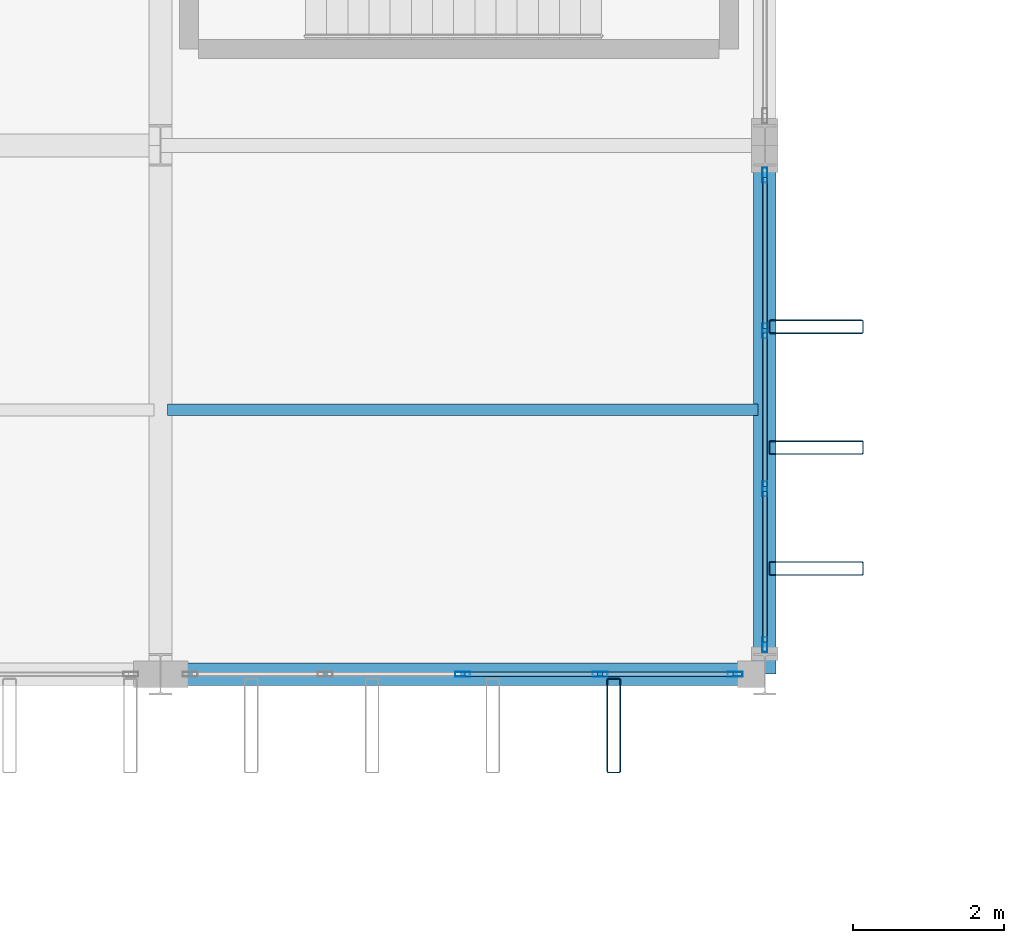
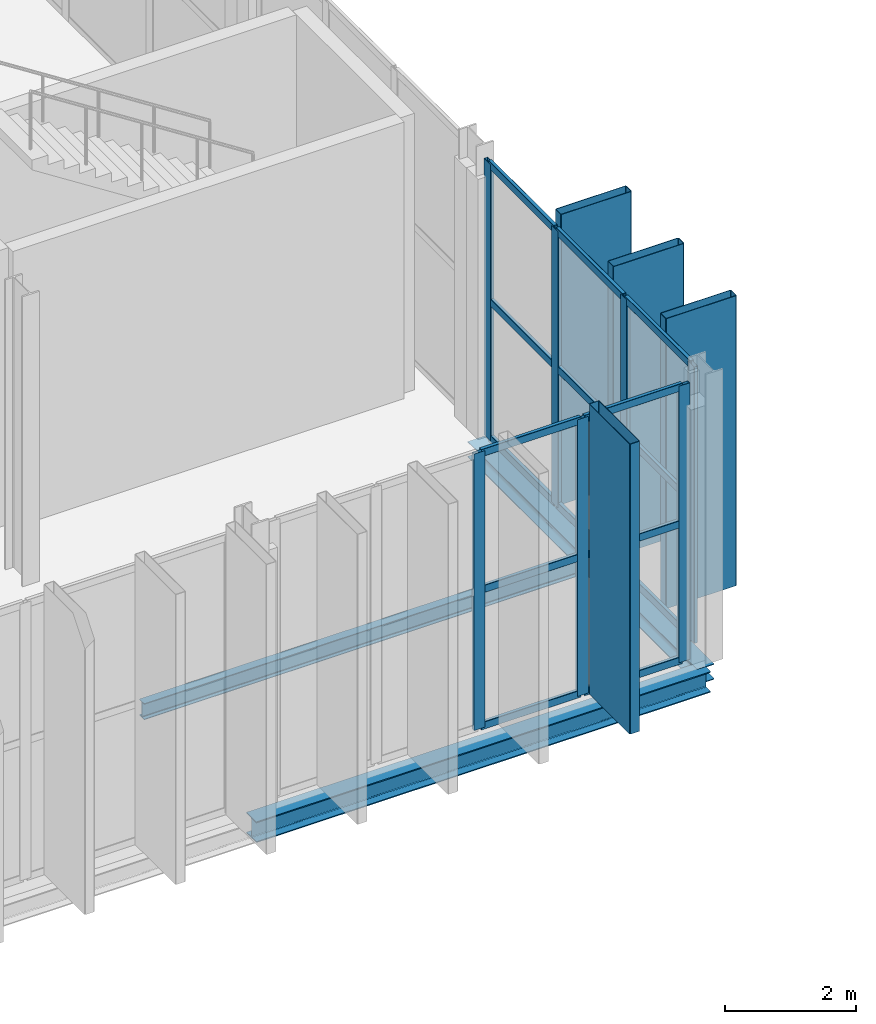
# One storey, part 44 of 147: 26 members, 3 beams, 2 elements without a shape of their own.
"""IFC4 building model written with IfcOpenShell, lengths in metres."""

from ifc_helpers import new_model, si_unit, direction, frame, origin, origin_2d, place, context, subcontext, project, spatial, hollow_rectangle, i_section, extrude, material, layer, layer_set, material_profile, profile_set, type_object, element, aggregate, save


model = new_model("IFC4")

# Units and contexts
model_context = context("Model", 3, precision=1e-05, world=origin(), true_north=direction((0.0, 1.0)))
body_context = subcontext(model_context, "Body", "Model", "MODEL_VIEW")
ifc_project = project(units=[si_unit("LENGTHUNIT", "METRE"), si_unit("AREAUNIT", "SQUARE_METRE"), si_unit("VOLUMEUNIT", "CUBIC_METRE"), si_unit("PLANEANGLEUNIT", "RADIAN"), si_unit("MASSUNIT", "GRAM", prefix="KILO")], contexts=[model_context])

# Site, building, storey
site_placement = place(None, origin())
site = spatial("IfcSite", under=ifc_project, at=site_placement, CompositionType="ELEMENT")
building_placement = place(site_placement, origin())
building = spatial("IfcBuilding", under=site, at=building_placement, Name="Vekula Escarpment Museum", CompositionType="ELEMENT")
storey_placement = place(building_placement, frame((0.0, 0.0, 7.800048828125)))
storey = spatial("IfcBuildingStorey", under=building, at=storey_placement, Name="L02", CompositionType="ELEMENT", Elevation=7.800048828125)

# Beams
ifc_material_1 = material(Name="Steel S355", Category="steel")
ifc_material_profile_1 = material_profile(ifc_material_1, i_section(OverallWidth=0.14990234375, OverallDepth=0.300048828125, WebThickness=0.007080078125, FlangeThickness=0.0107421875, FilletRadius=0.014892578125, at=origin_2d()), Name="IPE 300")
ifc_profile_set_1 = profile_set([ifc_material_profile_1], Name="Steel S355")
beam_type_1 = type_object("IfcBeamType", Name="BM-JST-IPE300", PredefinedType="JOIST", material=ifc_profile_set_1)
beam_1_placement = place(storey_placement, frame((118.090087890625, 49.10009765625, -0.41015625), z_axis=(1.0, 0.0, 0.0), x_axis=(0.0, 1.0, 0.0)))
element("IfcBeam", 1, at=beam_1_placement, inside=storey, type_object=beam_type_1, Name="Secondary Joist L02 0816", PredefinedType="JOIST", context=body_context, shape_type="SweptSolid", body=[
    extrude(i_section(OverallWidth=0.14990234375, OverallDepth=0.300048828125, WebThickness=0.007080078125, FlangeThickness=0.0107421875, FilletRadius=0.014892578125, at=origin_2d()), origin(), (0.0, 0.0, 1.0), 7.81982421875),
])
ifc_material_2 = material(Name="Steel S355", Category="steel")
ifc_material_profile_2 = material_profile(ifc_material_2, i_section(OverallWidth=0.300048828125, OverallDepth=0.2900390625, WebThickness=0.008544921875, FlangeThickness=0.013916015625, FilletRadius=0.027099609375, at=origin_2d()), Name="HEA 300")
ifc_profile_set_2 = profile_set([ifc_material_profile_2], Name="Steel S355")
beam_type_2 = type_object("IfcBeamType", Name="BM-SPAN-HEA300", PredefinedType="SPANDREL", material=ifc_profile_set_2)
beam_2_placement = place(storey_placement, frame((126.0, 45.60009765625, -0.405029296875), z_axis=(0.0, 1.0, 0.0), x_axis=(-1.0, 0.0, 0.0)))
element("IfcBeam", 2, at=beam_2_placement, inside=storey, type_object=beam_type_2, Name="Beam Y L02 1202", PredefinedType="SPANDREL", context=body_context, shape_type="SweptSolid", body=[
    extrude(i_section(OverallWidth=0.300048828125, OverallDepth=0.2900390625, WebThickness=0.008544921875, FlangeThickness=0.013916015625, FilletRadius=0.027099609375, at=origin_2d()), origin(), (0.0, 0.0, 1.0), 7.0),
])
ifc_material_3 = material(Name="Steel S355", Category="steel")
ifc_material_profile_3 = material_profile(ifc_material_3, i_section(OverallWidth=0.300048828125, OverallDepth=0.389892578125, WebThickness=0.010986328125, FlangeThickness=0.01904296875, FilletRadius=0.027099609375, at=origin_2d()), Name="HEA 400")
ifc_profile_set_3 = profile_set([ifc_material_profile_3], Name="Steel S355")
beam_type_3 = type_object("IfcBeamType", Name="BM-SPAN-HEA400", PredefinedType="SPANDREL", material=ifc_profile_set_3)
beam_3_placement = place(storey_placement, frame((118.0, 45.60009765625, -0.455078125), z_axis=(1.0, 0.0, 0.0), x_axis=(0.0, 1.0, 0.0)))
element("IfcBeam", 3, at=beam_3_placement, inside=storey, type_object=beam_type_3, Name="Beam X L02 0850", PredefinedType="SPANDREL", context=body_context, shape_type="SweptSolid", body=[
    extrude(i_section(OverallWidth=0.300048828125, OverallDepth=0.389892578125, WebThickness=0.010986328125, FlangeThickness=0.01904296875, FilletRadius=0.027099609375, at=origin_2d()), origin(), (0.0, 0.0, 1.0), 8.0),
])

# Curtain wall, members
ifc_material_4 = material(Name="Aluminium thermally broken framing", Category="aluminium")
ifc_layer_1 = layer(ifc_material_4, 0.14990234375)
ifc_layer_set_1 = layer_set([ifc_layer_1], Name="Aluminium thermally broken framing")
curtain_wall_type_1 = type_object("IfcCurtainWallType", Name="CW-SYS-09", PredefinedType="NOTDEFINED", material=ifc_layer_set_1)
curtain_wall_1_placement = place(storey_placement, origin())
curtain_wall_1 = element("IfcCurtainWall", 4, at=curtain_wall_1_placement, inside=storey, type_object=curtain_wall_type_1, Name="Curtain Wall CW-L02-059", PredefinedType="NOTDEFINED")
ifc_material_5 = material(Name="Aluminium anodized mullion", Category="aluminium")
ifc_material_profile_4 = material_profile(ifc_material_5, hollow_rectangle(XDim=0.06494140625, YDim=0.199951171875, WallThickness=0.00390625, InnerFilletRadius=0.00390625, OuterFilletRadius=0.008056640625, at=origin_2d()), Name="ALU 200x65x4")
ifc_profile_set_4 = profile_set([ifc_material_profile_4], Name="Aluminium anodized mullion")
member_type_1 = type_object("IfcMemberType", Name="CW-MUL-200", PredefinedType="MULLION", material=ifc_profile_set_4)
member_1_placement = place(storey_placement, frame((122.0, 45.60009765625, 0.0), z_axis=(0.0, 0.0, 1.0), x_axis=(0.0, 1.0, 0.0)))
member_1 = element("IfcMember", 5, at=member_1_placement, type_object=member_type_1, Name="CW-09 mullion 3", PredefinedType="MULLION", context=body_context, shape_type="SweptSolid", body=[
    extrude(hollow_rectangle(XDim=0.06494140625, YDim=0.199951171875, WallThickness=0.00390625, InnerFilletRadius=0.00390625, OuterFilletRadius=0.008056640625, at=origin_2d()), origin(), (0.0, 0.0, 1.0), 5.14990234375),
])
member_2_placement = place(storey_placement, frame((123.820068359375, 45.60009765625, 0.0), z_axis=(0.0, 0.0, 1.0), x_axis=(0.0, 1.0, 0.0)))
member_2 = element("IfcMember", 6, at=member_2_placement, type_object=member_type_1, Name="CW-09 mullion 4", PredefinedType="MULLION", context=body_context, shape_type="SweptSolid", body=[
    extrude(hollow_rectangle(XDim=0.06494140625, YDim=0.199951171875, WallThickness=0.00390625, InnerFilletRadius=0.00390625, OuterFilletRadius=0.008056640625, at=origin_2d()), origin(), (0.0, 0.0, 1.0), 5.14990234375),
])
member_3_placement = place(storey_placement, frame((125.607421875, 45.60009765625, 0.0), z_axis=(0.0, 0.0, 1.0), x_axis=(0.0, 1.0, 0.0)))
member_3 = element("IfcMember", 7, at=member_3_placement, type_object=member_type_1, Name="CW-09 mullion 5", PredefinedType="MULLION", context=body_context, shape_type="SweptSolid", body=[
    extrude(hollow_rectangle(XDim=0.06494140625, YDim=0.199951171875, WallThickness=0.00390625, InnerFilletRadius=0.00390625, OuterFilletRadius=0.008056640625, at=origin_2d()), origin(), (0.0, 0.0, 1.0), 5.14990234375),
])

ifc_material_6 = material(Name="Aluminium thermally broken framing", Category="aluminium")
ifc_layer_2 = layer(ifc_material_6, 0.169921875)
ifc_layer_set_2 = layer_set([ifc_layer_2], Name="Aluminium thermally broken framing")
curtain_wall_type_2 = type_object("IfcCurtainWallType", Name="CW-SYS-10", PredefinedType="NOTDEFINED", material=ifc_layer_set_2)
curtain_wall_2_placement = place(storey_placement, origin())
curtain_wall_2 = element("IfcCurtainWall", 8, at=curtain_wall_2_placement, inside=storey, type_object=curtain_wall_type_2, Name="Curtain Wall CW-L02-060", PredefinedType="NOTDEFINED")
member_4_placement = place(storey_placement, frame((126.0, 45.992431640625, 0.0), z_axis=(0.0, 0.0, 1.0), x_axis=(-1.0, 0.0, 0.0)))
member_4 = element("IfcMember", 9, at=member_4_placement, type_object=member_type_1, Name="CW-10 mullion 1", PredefinedType="MULLION", context=body_context, shape_type="SweptSolid", body=[
    extrude(hollow_rectangle(XDim=0.06494140625, YDim=0.199951171875, WallThickness=0.00390625, InnerFilletRadius=0.00390625, OuterFilletRadius=0.008056640625, at=origin_2d()), origin(), (0.0, 0.0, 1.0), 5.14990234375),
])
member_5_placement = place(storey_placement, frame((126.0, 48.05322265625, 0.0), z_axis=(0.0, 0.0, 1.0), x_axis=(-1.0, 0.0, 0.0)))
member_5 = element("IfcMember", 10, at=member_5_placement, type_object=member_type_1, Name="CW-10 mullion 2", PredefinedType="MULLION", context=body_context, shape_type="SweptSolid", body=[
    extrude(hollow_rectangle(XDim=0.06494140625, YDim=0.199951171875, WallThickness=0.00390625, InnerFilletRadius=0.00390625, OuterFilletRadius=0.008056640625, at=origin_2d()), origin(), (0.0, 0.0, 1.0), 5.14990234375),
])
member_6_placement = place(storey_placement, frame((126.0, 50.146728515625, 0.0), z_axis=(0.0, 0.0, 1.0), x_axis=(-1.0, 0.0, 0.0)))
member_6 = element("IfcMember", 11, at=member_6_placement, type_object=member_type_1, Name="CW-10 mullion 3", PredefinedType="MULLION", context=body_context, shape_type="SweptSolid", body=[
    extrude(hollow_rectangle(XDim=0.06494140625, YDim=0.199951171875, WallThickness=0.00390625, InnerFilletRadius=0.00390625, OuterFilletRadius=0.008056640625, at=origin_2d()), origin(), (0.0, 0.0, 1.0), 5.14990234375),
])
member_7_placement = place(storey_placement, frame((126.0, 52.20751953125, 0.0), z_axis=(0.0, 0.0, 1.0), x_axis=(-1.0, 0.0, 0.0)))
member_7 = element("IfcMember", 12, at=member_7_placement, type_object=member_type_1, Name="CW-10 mullion 4", PredefinedType="MULLION", context=body_context, shape_type="SweptSolid", body=[
    extrude(hollow_rectangle(XDim=0.06494140625, YDim=0.199951171875, WallThickness=0.00390625, InnerFilletRadius=0.00390625, OuterFilletRadius=0.008056640625, at=origin_2d()), origin(), (0.0, 0.0, 1.0), 5.14990234375),
])

# Member
ifc_material_7 = material(Name="Aluminium anodized transom", Category="aluminium")
ifc_material_profile_5 = material_profile(ifc_material_7, hollow_rectangle(XDim=0.06494140625, YDim=0.139892578125, WallThickness=0.00390625, InnerFilletRadius=0.00390625, OuterFilletRadius=0.008056640625, at=origin_2d()), Name="ALU 140x65x4")
ifc_profile_set_5 = profile_set([ifc_material_profile_5], Name="Aluminium anodized transom")
member_type_2 = type_object("IfcMemberType", Name="CW-TRN-140", PredefinedType="USERDEFINED", material=ifc_profile_set_5)
member_8_placement = place(storey_placement, frame((122.032470703125, 45.60009765625, 0.032470703125), z_axis=(1.0, 0.0, 0.0), x_axis=(0.0, 1.0, 0.0)))
member_8 = element("IfcMember", 13, at=member_8_placement, type_object=member_type_2, Name="CW-09 transom 3.1", ObjectType="TRANSOM", PredefinedType="USERDEFINED", context=body_context, shape_type="SweptSolid", body=[
    extrude(hollow_rectangle(XDim=0.06494140625, YDim=0.139892578125, WallThickness=0.00390625, InnerFilletRadius=0.00390625, OuterFilletRadius=0.008056640625, at=origin_2d()), origin(), (0.0, 0.0, 1.0), 1.755126953125),
])

member_9_placement = place(storey_placement, frame((122.032470703125, 45.60009765625, 2.574951171875), z_axis=(1.0, 0.0, 0.0), x_axis=(0.0, 1.0, 0.0)))
member_9 = element("IfcMember", 14, at=member_9_placement, type_object=member_type_2, Name="CW-09 transom 3.2", ObjectType="TRANSOM", PredefinedType="USERDEFINED", context=body_context, shape_type="SweptSolid", body=[
    extrude(hollow_rectangle(XDim=0.06494140625, YDim=0.139892578125, WallThickness=0.00390625, InnerFilletRadius=0.00390625, OuterFilletRadius=0.008056640625, at=origin_2d()), origin(), (0.0, 0.0, 1.0), 1.755126953125),
])

member_10_placement = place(storey_placement, frame((122.032470703125, 45.60009765625, 5.117431640625), z_axis=(1.0, 0.0, 0.0), x_axis=(0.0, 1.0, 0.0)))
member_10 = element("IfcMember", 15, at=member_10_placement, type_object=member_type_2, Name="CW-09 transom 3.3", ObjectType="TRANSOM", PredefinedType="USERDEFINED", context=body_context, shape_type="SweptSolid", body=[
    extrude(hollow_rectangle(XDim=0.06494140625, YDim=0.139892578125, WallThickness=0.00390625, InnerFilletRadius=0.00390625, OuterFilletRadius=0.008056640625, at=origin_2d()), origin(), (0.0, 0.0, 1.0), 1.755126953125),
])

member_11_placement = place(storey_placement, frame((123.8525390625, 45.60009765625, 0.032470703125), z_axis=(1.0, 0.0, 0.0), x_axis=(0.0, 1.0, 0.0)))
member_11 = element("IfcMember", 16, at=member_11_placement, type_object=member_type_2, Name="CW-09 transom 4.1", ObjectType="TRANSOM", PredefinedType="USERDEFINED", context=body_context, shape_type="SweptSolid", body=[
    extrude(hollow_rectangle(XDim=0.06494140625, YDim=0.139892578125, WallThickness=0.00390625, InnerFilletRadius=0.00390625, OuterFilletRadius=0.008056640625, at=origin_2d()), origin(), (0.0, 0.0, 1.0), 1.722412109375),
])

member_12_placement = place(storey_placement, frame((123.8525390625, 45.60009765625, 2.574951171875), z_axis=(1.0, 0.0, 0.0), x_axis=(0.0, 1.0, 0.0)))
member_12 = element("IfcMember", 17, at=member_12_placement, type_object=member_type_2, Name="CW-09 transom 4.2", ObjectType="TRANSOM", PredefinedType="USERDEFINED", context=body_context, shape_type="SweptSolid", body=[
    extrude(hollow_rectangle(XDim=0.06494140625, YDim=0.139892578125, WallThickness=0.00390625, InnerFilletRadius=0.00390625, OuterFilletRadius=0.008056640625, at=origin_2d()), origin(), (0.0, 0.0, 1.0), 1.722412109375),
])

member_13_placement = place(storey_placement, frame((123.8525390625, 45.60009765625, 5.117431640625), z_axis=(1.0, 0.0, 0.0), x_axis=(0.0, 1.0, 0.0)))
member_13 = element("IfcMember", 18, at=member_13_placement, type_object=member_type_2, Name="CW-09 transom 4.3", ObjectType="TRANSOM", PredefinedType="USERDEFINED", context=body_context, shape_type="SweptSolid", body=[
    extrude(hollow_rectangle(XDim=0.06494140625, YDim=0.139892578125, WallThickness=0.00390625, InnerFilletRadius=0.00390625, OuterFilletRadius=0.008056640625, at=origin_2d()), origin(), (0.0, 0.0, 1.0), 1.722412109375),
])

aggregate(curtain_wall_1, [member_1, member_2, member_3, member_8, member_9, member_10, member_11, member_12, member_13])

member_14_placement = place(storey_placement, frame((126.0, 46.02490234375, 0.032470703125), z_axis=(0.0, 1.0, 0.0), x_axis=(-1.0, 0.0, 0.0)))
member_14 = element("IfcMember", 19, at=member_14_placement, type_object=member_type_2, Name="CW-10 transom 1.1", ObjectType="TRANSOM", PredefinedType="USERDEFINED", context=body_context, shape_type="SweptSolid", body=[
    extrude(hollow_rectangle(XDim=0.06494140625, YDim=0.139892578125, WallThickness=0.00390625, InnerFilletRadius=0.00390625, OuterFilletRadius=0.008056640625, at=origin_2d()), origin(), (0.0, 0.0, 1.0), 1.995849609375),
])

member_15_placement = place(storey_placement, frame((126.0, 46.02490234375, 2.574951171875), z_axis=(0.0, 1.0, 0.0), x_axis=(-1.0, 0.0, 0.0)))
member_15 = element("IfcMember", 20, at=member_15_placement, type_object=member_type_2, Name="CW-10 transom 1.2", ObjectType="TRANSOM", PredefinedType="USERDEFINED", context=body_context, shape_type="SweptSolid", body=[
    extrude(hollow_rectangle(XDim=0.06494140625, YDim=0.139892578125, WallThickness=0.00390625, InnerFilletRadius=0.00390625, OuterFilletRadius=0.008056640625, at=origin_2d()), origin(), (0.0, 0.0, 1.0), 1.995849609375),
])

member_16_placement = place(storey_placement, frame((126.0, 46.02490234375, 5.117431640625), z_axis=(0.0, 1.0, 0.0), x_axis=(-1.0, 0.0, 0.0)))
member_16 = element("IfcMember", 21, at=member_16_placement, type_object=member_type_2, Name="CW-10 transom 1.3", ObjectType="TRANSOM", PredefinedType="USERDEFINED", context=body_context, shape_type="SweptSolid", body=[
    extrude(hollow_rectangle(XDim=0.06494140625, YDim=0.139892578125, WallThickness=0.00390625, InnerFilletRadius=0.00390625, OuterFilletRadius=0.008056640625, at=origin_2d()), origin(), (0.0, 0.0, 1.0), 1.995849609375),
])

member_17_placement = place(storey_placement, frame((126.0, 48.0859375, 0.032470703125), z_axis=(0.0, 1.0, 0.0), x_axis=(-1.0, 0.0, 0.0)))
member_17 = element("IfcMember", 22, at=member_17_placement, type_object=member_type_2, Name="CW-10 transom 2.1", ObjectType="TRANSOM", PredefinedType="USERDEFINED", context=body_context, shape_type="SweptSolid", body=[
    extrude(hollow_rectangle(XDim=0.06494140625, YDim=0.139892578125, WallThickness=0.00390625, InnerFilletRadius=0.00390625, OuterFilletRadius=0.008056640625, at=origin_2d()), origin(), (0.0, 0.0, 1.0), 2.0283203125),
])

member_18_placement = place(storey_placement, frame((126.0, 48.0859375, 2.574951171875), z_axis=(0.0, 1.0, 0.0), x_axis=(-1.0, 0.0, 0.0)))
member_18 = element("IfcMember", 23, at=member_18_placement, type_object=member_type_2, Name="CW-10 transom 2.2", ObjectType="TRANSOM", PredefinedType="USERDEFINED", context=body_context, shape_type="SweptSolid", body=[
    extrude(hollow_rectangle(XDim=0.06494140625, YDim=0.139892578125, WallThickness=0.00390625, InnerFilletRadius=0.00390625, OuterFilletRadius=0.008056640625, at=origin_2d()), origin(), (0.0, 0.0, 1.0), 2.0283203125),
])

member_19_placement = place(storey_placement, frame((126.0, 48.0859375, 5.117431640625), z_axis=(0.0, 1.0, 0.0), x_axis=(-1.0, 0.0, 0.0)))
member_19 = element("IfcMember", 24, at=member_19_placement, type_object=member_type_2, Name="CW-10 transom 2.3", ObjectType="TRANSOM", PredefinedType="USERDEFINED", context=body_context, shape_type="SweptSolid", body=[
    extrude(hollow_rectangle(XDim=0.06494140625, YDim=0.139892578125, WallThickness=0.00390625, InnerFilletRadius=0.00390625, OuterFilletRadius=0.008056640625, at=origin_2d()), origin(), (0.0, 0.0, 1.0), 2.0283203125),
])

member_20_placement = place(storey_placement, frame((126.0, 50.17919921875, 0.032470703125), z_axis=(0.0, 1.0, 0.0), x_axis=(-1.0, 0.0, 0.0)))
member_20 = element("IfcMember", 25, at=member_20_placement, type_object=member_type_2, Name="CW-10 transom 3.1", ObjectType="TRANSOM", PredefinedType="USERDEFINED", context=body_context, shape_type="SweptSolid", body=[
    extrude(hollow_rectangle(XDim=0.06494140625, YDim=0.139892578125, WallThickness=0.00390625, InnerFilletRadius=0.00390625, OuterFilletRadius=0.008056640625, at=origin_2d()), origin(), (0.0, 0.0, 1.0), 1.995849609375),
])

member_21_placement = place(storey_placement, frame((126.0, 50.17919921875, 2.574951171875), z_axis=(0.0, 1.0, 0.0), x_axis=(-1.0, 0.0, 0.0)))
member_21 = element("IfcMember", 26, at=member_21_placement, type_object=member_type_2, Name="CW-10 transom 3.2", ObjectType="TRANSOM", PredefinedType="USERDEFINED", context=body_context, shape_type="SweptSolid", body=[
    extrude(hollow_rectangle(XDim=0.06494140625, YDim=0.139892578125, WallThickness=0.00390625, InnerFilletRadius=0.00390625, OuterFilletRadius=0.008056640625, at=origin_2d()), origin(), (0.0, 0.0, 1.0), 1.995849609375),
])

member_22_placement = place(storey_placement, frame((126.0, 50.17919921875, 5.117431640625), z_axis=(0.0, 1.0, 0.0), x_axis=(-1.0, 0.0, 0.0)))
member_22 = element("IfcMember", 27, at=member_22_placement, type_object=member_type_2, Name="CW-10 transom 3.3", ObjectType="TRANSOM", PredefinedType="USERDEFINED", context=body_context, shape_type="SweptSolid", body=[
    extrude(hollow_rectangle(XDim=0.06494140625, YDim=0.139892578125, WallThickness=0.00390625, InnerFilletRadius=0.00390625, OuterFilletRadius=0.008056640625, at=origin_2d()), origin(), (0.0, 0.0, 1.0), 1.995849609375),
])

aggregate(curtain_wall_2, [member_4, member_5, member_6, member_7, member_14, member_15, member_16, member_17, member_18, member_19, member_20, member_21, member_22])

# Members
ifc_material_8 = material(Name="Steel S355 weathered bronze solar fin", Category="steel")
ifc_material_profile_6 = material_profile(ifc_material_8, hollow_rectangle(XDim=0.179931640625, YDim=1.25, WallThickness=0.010009765625, InnerFilletRadius=0.010009765625, OuterFilletRadius=0.02001953125, at=origin_2d()), Name="RHS 1250x180x10")
ifc_profile_set_6 = profile_set([ifc_material_profile_6], Name="Steel S355 weathered bronze solar fin")
member_type_3 = type_object("IfcMemberType", Name="MB-SOLAR-FIN", PredefinedType="USERDEFINED", material=ifc_profile_set_6)
for number, where, z_axis, x_axis, name in (
    (28, (124.0, 44.919921875, 0.0), (0.0, 0.0, 1.0), (1.0, 0.0, 0.0), "Great Hall Vertical Solar Fin 0127"),
    (29, (126.679931640625, 47.0, 0.0), (0.0, 0.0, 1.0), (0.0, 1.0, 0.0), "Great Hall Vertical Solar Fin 0352"),
    (30, (126.679931640625, 48.60009765625, 0.0), (0.0, 0.0, 1.0), (0.0, 1.0, 0.0), "Great Hall Vertical Solar Fin 0357"),
    (31, (126.679931640625, 50.199951171875, 0.0), (0.0, 0.0, 1.0), (0.0, 1.0, 0.0), "Great Hall Vertical Solar Fin 0362"),
):
    element("IfcMember", number, at=place(storey_placement, frame(where, z_axis=z_axis, x_axis=x_axis)), inside=storey, type_object=member_type_3, Name=name, ObjectType="SOLAR FIN", PredefinedType="USERDEFINED", context=body_context, shape_type="SweptSolid", body=[
        extrude(hollow_rectangle(XDim=0.179931640625, YDim=1.25, WallThickness=0.010009765625, InnerFilletRadius=0.010009765625, OuterFilletRadius=0.02001953125, at=origin_2d()), origin(), (0.0, 0.0, 1.0), 5.39990234375),
    ])

save(model, "model.ifc")
